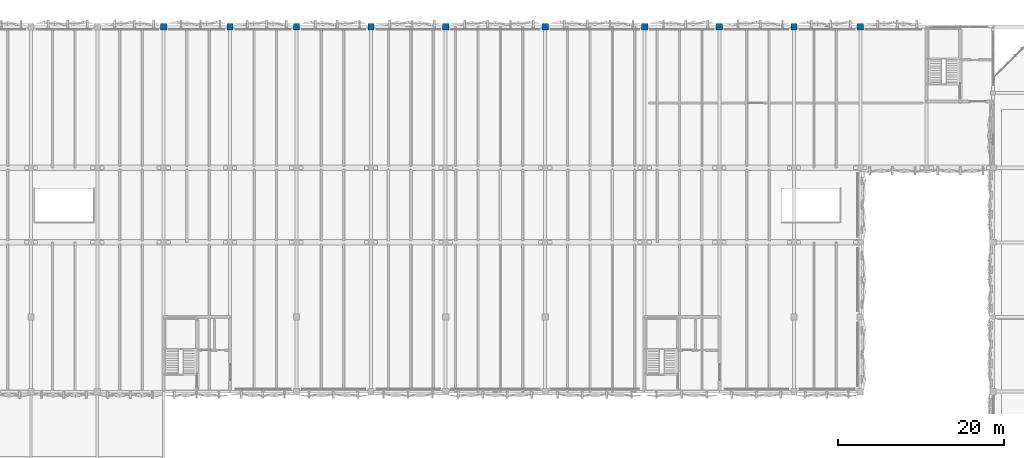
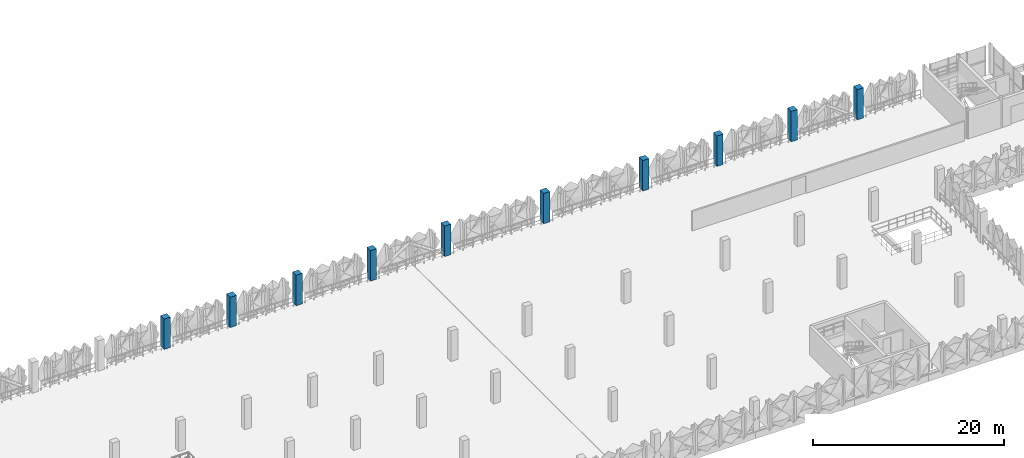
# One storey, part 9 of 76: 10 columns.
"""IFC4 building model written with IfcOpenShell, lengths in metres."""

from ifc_helpers import new_model, si_unit, derived_unit, direction, frame, origin, origin_2d, place, context, subcontext, project, spatial, rectangle, extrude, material, material_profile, profile_set, type_object, element, save


model = new_model("IFC4")

# Units and contexts
model_context = context("Model", 3, precision=1e-05, world=origin(), true_north=direction((0.0, 1.0)))
body_context = subcontext(model_context, "Body", "Model", "MODEL_VIEW")
ifc_project = project(units=[si_unit("LENGTHUNIT", "METRE"), si_unit("AREAUNIT", "SQUARE_METRE"), si_unit("VOLUMEUNIT", "CUBIC_METRE"), si_unit("PLANEANGLEUNIT", "RADIAN"), si_unit("MASSUNIT", "GRAM", prefix="KILO"), si_unit("THERMODYNAMICTEMPERATUREUNIT", "KELVIN"), derived_unit("THERMALTRANSMITTANCEUNIT", [(si_unit("POWERUNIT", "WATT"), 1), (si_unit("AREAUNIT", "SQUARE_METRE"), -1), (si_unit("THERMODYNAMICTEMPERATUREUNIT", "KELVIN"), -1)])], contexts=[model_context])

# Site, building, storey
site_placement = place(None, origin())
site = spatial("IfcSite", under=ifc_project, at=site_placement, CompositionType="ELEMENT")
building_placement = place(site_placement, origin())
building = spatial("IfcBuilding", under=site, at=building_placement, Name="Haiyu Intermodal Mobility Hub", CompositionType="ELEMENT")
storey_placement = place(building_placement, frame((0.0, 0.0, 17.300048828125)))
storey = spatial("IfcBuildingStorey", under=building, at=storey_placement, Name="L04", CompositionType="ELEMENT", Elevation=17.300048828125)

# Columns
ifc_material = material(Name="Precast concrete C40", Category="concrete")
ifc_material_profile = material_profile(ifc_material, rectangle(XDim=0.75, YDim=0.75, at=origin_2d()), Name="RC750x750")
ifc_profile_set = profile_set([ifc_material_profile], Name="Precast concrete C40")
column_type = type_object("IfcColumnType", Name="COL-CC03-EXT", PredefinedType="COLUMN", material=ifc_profile_set)
for number, where, z_axis, x_axis, name in (
    (1, (62.0, 148.0, 0.0), (0.0, 0.0, 1.0), (1.0, 0.0, 0.0), "Column V4-7S L04"),
    (2, (70.0, 148.0, 0.0), (0.0, 0.0, 1.0), (1.0, 0.0, 0.0), "Column V4-8S L04"),
    (3, (78.0, 148.0, 0.0), (0.0, 0.0, 1.0), (1.0, 0.0, 0.0), "Column V4-9S L04"),
    (4, (87.0, 148.0, 0.0), (0.0, 0.0, 1.0), (1.0, 0.0, 0.0), "Column V4-10S L04"),
    (5, (96.0, 148.0, 0.0), (0.0, 0.0, 1.0), (1.0, 0.0, 0.0), "Column V4-11S L04"),
    (6, (108.0, 148.0, 0.0), (0.0, 0.0, 1.0), (1.0, 0.0, 0.0), "Column V4-12S L04"),
    (7, (120.0, 148.0, 0.0), (0.0, 0.0, 1.0), (1.0, 0.0, 0.0), "Column V4-13S L04"),
    (8, (129.0, 148.0, 0.0), (0.0, 0.0, 1.0), (1.0, 0.0, 0.0), "Column V4-14S L04"),
    (9, (138.0, 148.0, 0.0), (0.0, 0.0, 1.0), (1.0, 0.0, 0.0), "Column V4-15S L04"),
    (10, (146.0, 148.0, 0.0), (0.0, 0.0, 1.0), (1.0, 0.0, 0.0), "Column V4-16S L04"),
):
    element("IfcColumn", number, at=place(storey_placement, frame(where, z_axis=z_axis, x_axis=x_axis)), inside=storey, type_object=column_type, Name=name, PredefinedType="COLUMN", context=body_context, shape_type="SweptSolid", body=[
        extrude(rectangle(XDim=0.75, YDim=0.75, at=origin_2d()), origin(), (0.0, 0.0, 1.0), 3.89990234375),
    ])

save(model, "model.ifc")
